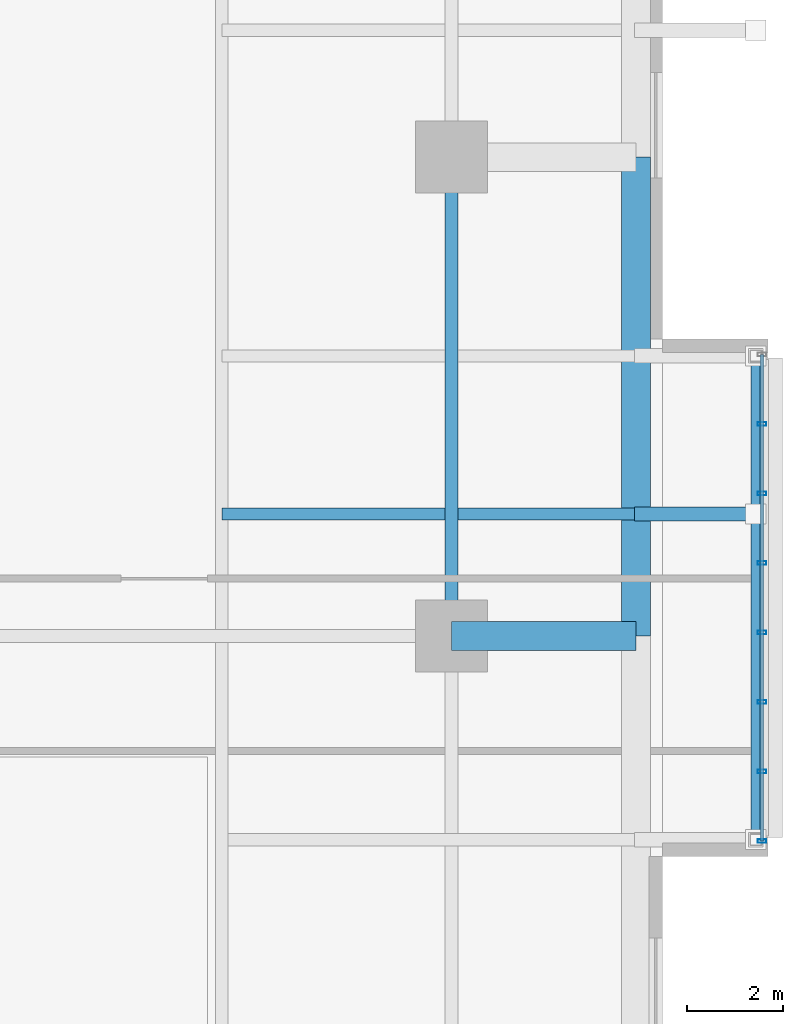
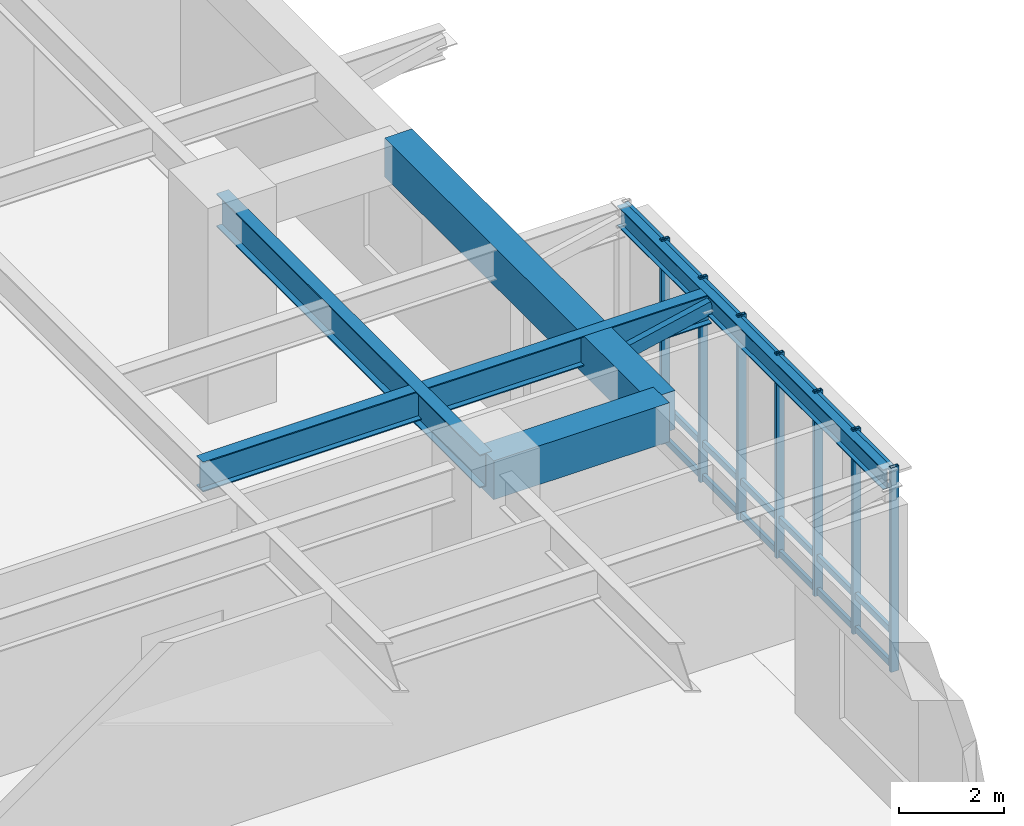
# One storey, part 10 of 23: 11 members, 5 beams, 1 element without a shape of its own.
"""IFC4 building model written with IfcOpenShell, lengths in metres."""

import ifcopenshell
import ifcopenshell.guid

model = None  # the IFC model being written
_history = None  # IfcOwnerHistory: only IFC2X3 demands one
_inside = {}  # id of a spatial element -> (the spatial element, [elements in it])
_under = {}  # id of a project, library or spatial element -> (it, [spatial elements below it])
_declared = {}  # id of a project -> (the project, [libraries it declares])
_typed = {}  # id of a type object -> (the type object, [elements of that type])
_made_of = {}  # id of a material, layer set ... -> (it, [elements and type objects made of it])


def new_model(schema):
    """Start an empty IFC model of exactly this schema.

    Asked for "IFC4X3", IfcOpenShell would pick the latest addendum, in which some entities
    have other attributes; the version numbers below select the first issue.
    IFC2X3 requires an IfcOwnerHistory on every rooted entity: one is made here for all.
    """
    global model, _history
    if schema == "IFC4X3":
        model = ifcopenshell.file(schema_version=(4, 3, 0, 0))
    else:
        model = ifcopenshell.file(schema=schema)
    _inside.clear()
    _under.clear()
    _declared.clear()
    _typed.clear()
    _made_of.clear()
    _history = None
    if model.schema == "IFC2X3":
        org = make("IfcOrganization", Name="unknown")
        user = make(
            "IfcPersonAndOrganization",
            ThePerson=make("IfcPerson", FamilyName="unknown"),
            TheOrganization=org,
        )
        app = make(
            "IfcApplication",
            ApplicationDeveloper=org,
            Version="unknown",
            ApplicationFullName="unknown",
            ApplicationIdentifier="unknown",
        )
        _history = make(
            "IfcOwnerHistory",
            OwningUser=user,
            OwningApplication=app,
            ChangeAction="ADDED",
            CreationDate=0,
        )
    return model


def make(cls, **values):
    """One entity of the class cls with the attributes given. An attribute that is None is left unset."""
    return model.create_entity(
        cls, **{name: value for name, value in values.items() if value is not None}
    )


def rooted(cls, **values):
    """An entity with a GlobalId (a new one), such as an element, a storey or a relation."""
    return make(cls, GlobalId=ifcopenshell.guid.new(), OwnerHistory=_history, **values)


def si_unit(unit_type, name, prefix=None):
    """IfcSIUnit, for example si_unit("LENGTHUNIT", "METRE", prefix="MILLI")."""
    return make("IfcSIUnit", UnitType=unit_type, Prefix=prefix, Name=name)


def assignment(units):
    """IfcUnitAssignment: the units of a project."""
    return None if units is None else make("IfcUnitAssignment", Units=units)


def point(xyz):
    """IfcCartesianPoint."""
    return None if xyz is None else make("IfcCartesianPoint", Coordinates=xyz)


def direction(xyz):
    """IfcDirection."""
    return None if xyz is None else make("IfcDirection", DirectionRatios=xyz)


def frame(location, z_axis=None, x_axis=None):
    """IfcAxis2Placement3D, a coordinate frame: its origin and axes. An axis left out is left unset."""
    return make(
        "IfcAxis2Placement3D",
        Location=point(location),
        Axis=direction(z_axis),
        RefDirection=direction(x_axis),
    )


def frame_2d(location, x_axis=None):
    """IfcAxis2Placement2D, a coordinate frame in the plane: its origin and x axis."""
    return make(
        "IfcAxis2Placement2D", Location=point(location), RefDirection=direction(x_axis)
    )


def origin():
    """The frame at (0, 0, 0) with its axes left unset."""
    return frame((0.0, 0.0, 0.0))


def origin_2d():
    """The frame at (0, 0) in the plane with its x axis left unset."""
    return frame_2d((0.0, 0.0))


def place(relative_to, where):
    """IfcLocalPlacement: puts the frame where relative to a parent placement (None: the world)."""
    return make(
        "IfcLocalPlacement", PlacementRelTo=relative_to, RelativePlacement=where
    )


def context(
    kind, dimensions, precision=None, world=None, true_north=None, identifier=None
):
    """IfcGeometricRepresentationContext, for example the 3D "Model" context."""
    return make(
        "IfcGeometricRepresentationContext",
        ContextIdentifier=identifier,
        ContextType=kind,
        CoordinateSpaceDimension=dimensions,
        Precision=precision,
        WorldCoordinateSystem=world,
        TrueNorth=true_north,
    )


def subcontext(parent, identifier, kind, view, scale=None):
    """IfcGeometricRepresentationSubContext, for example "Body" below "Model"."""
    return make(
        "IfcGeometricRepresentationSubContext",
        ContextIdentifier=identifier,
        ContextType=kind,
        ParentContext=parent,
        TargetScale=scale,
        TargetView=view,
    )


def project(units=None, contexts=None):
    """IfcProject with its units and contexts."""
    return rooted(
        "IfcProject",
        Name="project",
        RepresentationContexts=contexts,
        UnitsInContext=assignment(units),
    )


def spatial(cls, under=None, at=None, **own):
    """A site, building, storey or space (cls), placed at a placement, below another one or the project."""
    s = rooted(cls, ObjectPlacement=at, **own)
    if under is not None:
        _under.setdefault(under.id(), (under, []))[1].append(s)
    return s


def profile(cls, at=None, kind="AREA", **sizes):
    """A parametric profile (cls). Its sizes go by their IFC names, for example OverallWidth=200.0."""
    return make(cls, ProfileType=kind, Position=at, **sizes)


def rectangle(**sizes):
    """IfcRectangleProfileDef."""
    return profile("IfcRectangleProfileDef", **sizes)


def hollow_rectangle(**sizes):
    """IfcRectangleHollowProfileDef."""
    return profile("IfcRectangleHollowProfileDef", **sizes)


def i_section(**sizes):
    """IfcIShapeProfileDef."""
    return profile("IfcIShapeProfileDef", **sizes)


def extrude(swept, where, along, depth):
    """IfcExtrudedAreaSolid: the profile swept, set in the frame where, extruded along a direction by depth."""
    return make(
        "IfcExtrudedAreaSolid",
        SweptArea=swept,
        Position=where,
        ExtrudedDirection=direction(along),
        Depth=depth,
    )


def shape(context_of_items, identifier, shape_type, items):
    """IfcShapeRepresentation: the items that make up one representation, for example the "Body"."""
    return make(
        "IfcShapeRepresentation",
        ContextOfItems=context_of_items,
        RepresentationIdentifier=identifier,
        RepresentationType=shape_type,
        Items=items,
    )


def material(Name=None, Category=None):
    """IfcMaterial."""
    return make("IfcMaterial", Name=Name, Category=Category)


def material_profile(
    of_material, cross_section, Name=None, Category=None, Priority=None
):
    """IfcMaterialProfile: a cross section and its material."""
    return make(
        "IfcMaterialProfile",
        Name=Name,
        Material=of_material,
        Profile=cross_section,
        Priority=Priority,
        Category=Category,
    )


def profile_set(profiles, Name=None, composite=None):
    """IfcMaterialProfileSet."""
    return make(
        "IfcMaterialProfileSet",
        Name=Name,
        MaterialProfiles=profiles,
        CompositeProfile=composite,
    )


def made_of(thing, what):
    """Note that an element or type object is made of a material, layer set ...; save() writes the relation."""
    if what is not None:
        _made_of.setdefault(what.id(), (what, []))[1].append(thing)
    return thing


def type_object(cls, material=None, **own):
    """A type object (cls), such as IfcWallType, which elements share."""
    return made_of(rooted(cls, **own), material)


def element(
    cls,
    number,
    at=None,
    inside=None,
    cuts=None,
    type_object=None,
    material=None,
    context=None,
    identifier="Body",
    shape_type=None,
    held_by="IfcProductDefinitionShape",
    body=None,
    shapes=None,
    **own,
):
    """One element of the class cls, such as IfcWall. Its Tag is "e" and its number.

    at: its placement. inside: the storey or other place that contains it. cuts: it is an
    opening in that element (IfcRelVoidsElement). A single representation is given by context,
    identifier, shape_type and body (its items); several are given by shapes. held_by: the class
    of the entity that holds the representations. save() writes the other relations.
    """
    e = rooted(cls, Tag="e%d" % number, ObjectPlacement=at, **own)
    if body is not None:
        shapes = [shape(context, identifier, shape_type, body)]
    if shapes is not None:
        e.Representation = make(held_by, Representations=shapes)
    if inside is not None:
        _inside.setdefault(inside.id(), (inside, []))[1].append(e)
    if cuts is not None:
        rooted(
            "IfcRelVoidsElement", RelatingBuildingElement=cuts, RelatedOpeningElement=e
        )
    if type_object is not None:
        _typed.setdefault(type_object.id(), (type_object, []))[1].append(e)
    return made_of(e, material)


def aggregate(whole, parts):
    """IfcRelAggregates: a whole, such as a stair, and the parts it consists of."""
    return rooted("IfcRelAggregates", RelatingObject=whole, RelatedObjects=parts)


def save(model, path):
    """Write the relations noted so far, then the file.

    IfcRelAggregates (storeys below a building ...), IfcRelContainedInSpatialStructure (elements
    in a storey), IfcRelDefinesByType, IfcRelAssociatesMaterial and IfcRelDeclares: one each for
    every whole, place, type object, material and project.
    """
    for whole, parts in _under.values():
        aggregate(whole, parts)
    for where, things in _inside.values():
        rooted(
            "IfcRelContainedInSpatialStructure",
            RelatedElements=things,
            RelatingStructure=where,
        )
    for kind, things in _typed.values():
        rooted("IfcRelDefinesByType", RelatedObjects=things, RelatingType=kind)
    for what, things in _made_of.values():
        rooted("IfcRelAssociatesMaterial", RelatedObjects=things, RelatingMaterial=what)
    for by, libraries in _declared.values():
        rooted("IfcRelDeclares", RelatingContext=by, RelatedDefinitions=libraries)
    model.write(path)


model = new_model("IFC4")

# Units and contexts
model_context = context("Model", 3, precision=1e-05, world=origin(), true_north=direction((0.0, 1.0)))
body_context = subcontext(model_context, "Body", "Model", "MODEL_VIEW")
ifc_project = project(units=[si_unit("LENGTHUNIT", "METRE"), si_unit("AREAUNIT", "SQUARE_METRE"), si_unit("VOLUMEUNIT", "CUBIC_METRE"), si_unit("PLANEANGLEUNIT", "RADIAN"), si_unit("MASSUNIT", "GRAM", prefix="KILO")], contexts=[model_context])

# Site, building, storey
site_placement = place(None, origin())
site = spatial("IfcSite", under=ifc_project, at=site_placement, CompositionType="ELEMENT")
building_placement = place(site_placement, origin())
building = spatial("IfcBuilding", under=site, at=building_placement, Name="Zulverin Broadcast Headquarters", CompositionType="ELEMENT")
storey_placement = place(building_placement, frame((0.0, 0.0, 10.0)))
storey = spatial("IfcBuildingStorey", under=building, at=storey_placement, Name="L02", CompositionType="ELEMENT", Elevation=10.0)

# Beams
ifc_material_1 = material(Name="Concrete C40/50", Category="concrete")
ifc_material_profile_1 = material_profile(ifc_material_1, rectangle(XDim=0.60009765625, YDim=0.89990234375, at=origin_2d()), Name="Concrete C40/50", Category="concrete")
ifc_profile_set_1 = profile_set([ifc_material_profile_1], Name="Concrete C40/50")
beam_type_1 = type_object("IfcBeamType", Name="BM-RC-600x900", PredefinedType="BEAM", material=ifc_profile_set_1)
beam_1_placement = place(storey_placement, frame((69.60009765625, 15.199951171875, 4.22998046875), z_axis=(1.0, 0.0, 0.0), x_axis=(0.0, 1.0, 0.0)))
element("IfcBeam", 1, at=beam_1_placement, inside=storey, type_object=beam_type_1, Name="L02 East Perimeter Bracket Girder EBR-2", PredefinedType="BEAM", context=body_context, shape_type="SweptSolid", body=[
    extrude(rectangle(XDim=0.60009765625, YDim=0.89990234375, at=origin_2d()), origin(), (0.0, 0.0, 1.0), 3.849853515625),
])
beam_2_placement = place(storey_placement, frame((73.449951171875, 15.199951171875, 4.22998046875), z_axis=(0.0, 1.0, 0.0), x_axis=(-1.0, 0.0, 0.0)))
element("IfcBeam", 2, at=beam_2_placement, inside=storey, type_object=beam_type_1, Name="L02 East Edge Spandrel Girder EEG-2", PredefinedType="BEAM", context=body_context, shape_type="SweptSolid", body=[
    extrude(rectangle(XDim=0.60009765625, YDim=0.89990234375, at=origin_2d()), origin(), (0.0, 0.0, 1.0), 10.0),
])
ifc_material_2 = material(Name="Structural steel S355JR", Category="steel")
ifc_material_profile_2 = material_profile(ifc_material_2, i_section(OverallWidth=0.19287109375, OverallDepth=0.46728515625, WebThickness=0.011474609375, FlangeThickness=0.01953125, at=origin_2d()), Name="Structural steel S355JR", Category="steel")
ifc_profile_set_2 = profile_set([ifc_material_profile_2], Name="Structural steel S355JR")
beam_type_2 = type_object("IfcBeamType", Name="BM-UB-457", PredefinedType="JOIST", material=ifc_profile_set_2)
beam_3_placement = place(storey_placement, frame((75.949951171875, 10.949951171875, 4.4462890625), z_axis=(0.0, 1.0, 0.0), x_axis=(-1.0, 0.0, 0.0)))
element("IfcBeam", 3, at=beam_3_placement, inside=storey, type_object=beam_type_2, Name="L02 Studio Box Edge Beam SBOX_POD_LOWER_E1", PredefinedType="JOIST", context=body_context, shape_type="SweptSolid", body=[
    extrude(i_section(OverallWidth=0.19287109375, OverallDepth=0.46728515625, WebThickness=0.011474609375, FlangeThickness=0.01953125, at=origin_2d()), origin(), (0.0, 0.0, 1.0), 10.10009765625),
])
ifc_material_profile_3 = material_profile(ifc_material_2, i_section(OverallWidth=0.255859375, OverallDepth=0.69287109375, WebThickness=0.014404296875, FlangeThickness=0.023681640625, at=origin_2d()), Name="Structural steel S355JR", Category="steel")
ifc_profile_set_3 = profile_set([ifc_material_profile_3], Name="Structural steel S355JR")
beam_type_3 = type_object("IfcBeamType", Name="BM-UB-686", PredefinedType="BEAM", material=ifc_profile_set_3)
beam_4_placement = place(storey_placement, frame((64.800048828125, 17.75, 4.33349609375), z_axis=(1.0, 0.0, 0.0), x_axis=(0.0, 1.0, 0.0)))
element("IfcBeam", 4, at=beam_4_placement, inside=storey, type_object=beam_type_3, Name="L03 Studio Box Base Cantilever Girder SBOX_POD_UPPER_E1-1", PredefinedType="BEAM", context=body_context, shape_type="SweptSolid", body=[
    extrude(i_section(OverallWidth=0.255859375, OverallDepth=0.69287109375, WebThickness=0.014404296875, FlangeThickness=0.023681640625, at=origin_2d()), origin(), (0.0, 0.0, 1.0), 11.14990234375),
])
ifc_material_profile_4 = material_profile(ifc_material_2, i_section(OverallWidth=0.26806640625, OverallDepth=0.769775390625, WebThickness=0.015625, FlangeThickness=0.025390625, at=origin_2d()), Name="Structural steel S355JR", Category="steel")
ifc_profile_set_4 = profile_set([ifc_material_profile_4], Name="Structural steel S355JR")
beam_type_4 = type_object("IfcBeamType", Name="BM-UB-762", PredefinedType="BEAM", material=ifc_profile_set_4)
beam_5_placement = place(storey_placement, frame((69.60009765625, 15.199951171875, 4.295166015625), z_axis=(0.0, 1.0, 0.0), x_axis=(-1.0, 0.0, 0.0)))
element("IfcBeam", 5, at=beam_5_placement, inside=storey, type_object=beam_type_4, Name="L02 Podium Primary Girder P14-P15", PredefinedType="BEAM", context=body_context, shape_type="SweptSolid", body=[
    extrude(i_section(OverallWidth=0.26806640625, OverallDepth=0.769775390625, WebThickness=0.015625, FlangeThickness=0.025390625, at=origin_2d()), origin(), (0.0, 0.0, 1.0), 10.0),
])

# Curtain wall, members
ifc_material_3 = material(Name="Acoustic triple-glazed studio box curtain wall", Category="aluminium")
curtain_wall_type = type_object("IfcCurtainWallType", Name="CW-SBOX", PredefinedType="USERDEFINED", material=ifc_material_3)
curtain_wall_placement = place(storey_placement, origin())
curtain_wall = element("IfcCurtainWall", 6, at=curtain_wall_placement, inside=storey, type_object=curtain_wall_type, Name="L02 Unitised Curtain Wall CW-L02-SBOX_POD_LOWER_E1-F", ObjectType="UNITISED CURTAIN WALL", PredefinedType="USERDEFINED")
ifc_material_4 = material(Name="Anodized pale-metal aluminium alloy 6063-T6", Category="aluminium")
ifc_material_profile_5 = material_profile(ifc_material_4, hollow_rectangle(XDim=0.074951171875, YDim=0.179931640625, WallThickness=0.0048828125, at=origin_2d()), Name="Anodized pale-metal aluminium alloy 6063-T6", Category="aluminium")
ifc_profile_set_5 = profile_set([ifc_material_profile_5], Name="Anodized pale-metal aluminium alloy 6063-T6")
member_type_1 = type_object("IfcMemberType", Name="CW-MUL-180", PredefinedType="MULLION", material=ifc_profile_set_5)
member_1_placement = place(storey_placement, frame((76.080078125, 10.919921875, -0.030029296875), z_axis=(0.0, 0.0, 1.0), x_axis=(0.0, 1.0, 0.0)))
member_1 = element("IfcMember", 7, at=member_1_placement, type_object=member_type_1, Name="CW-L02-SBOX_POD_LOWER_E1-F Mullion 00", PredefinedType="MULLION", context=body_context, shape_type="SweptSolid", body=[
    extrude(hollow_rectangle(XDim=0.074951171875, YDim=0.179931640625, WallThickness=0.0048828125, at=origin_2d()), origin(), (0.0, 0.0, 1.0), 4.739990234375),
])
member_2_placement = place(storey_placement, frame((76.080078125, 12.371337890625, -0.030029296875), z_axis=(0.0, 0.0, 1.0), x_axis=(0.0, 1.0, 0.0)))
member_2 = element("IfcMember", 8, at=member_2_placement, type_object=member_type_1, Name="CW-L02-SBOX_POD_LOWER_E1-F Mullion 01", PredefinedType="MULLION", context=body_context, shape_type="SweptSolid", body=[
    extrude(hollow_rectangle(XDim=0.074951171875, YDim=0.179931640625, WallThickness=0.0048828125, at=origin_2d()), origin(), (0.0, 0.0, 1.0), 4.739990234375),
])
member_3_placement = place(storey_placement, frame((76.080078125, 13.822998046875, -0.030029296875), z_axis=(0.0, 0.0, 1.0), x_axis=(0.0, 1.0, 0.0)))
member_3 = element("IfcMember", 9, at=member_3_placement, type_object=member_type_1, Name="CW-L02-SBOX_POD_LOWER_E1-F Mullion 02", PredefinedType="MULLION", context=body_context, shape_type="SweptSolid", body=[
    extrude(hollow_rectangle(XDim=0.074951171875, YDim=0.179931640625, WallThickness=0.0048828125, at=origin_2d()), origin(), (0.0, 0.0, 1.0), 4.739990234375),
])
member_4_placement = place(storey_placement, frame((76.080078125, 15.2744140625, -0.030029296875), z_axis=(0.0, 0.0, 1.0), x_axis=(0.0, 1.0, 0.0)))
member_4 = element("IfcMember", 10, at=member_4_placement, type_object=member_type_1, Name="CW-L02-SBOX_POD_LOWER_E1-F Mullion 03", PredefinedType="MULLION", context=body_context, shape_type="SweptSolid", body=[
    extrude(hollow_rectangle(XDim=0.074951171875, YDim=0.179931640625, WallThickness=0.0048828125, at=origin_2d()), origin(), (0.0, 0.0, 1.0), 4.739990234375),
])
member_5_placement = place(storey_placement, frame((76.080078125, 16.7255859375, -0.030029296875), z_axis=(0.0, 0.0, 1.0), x_axis=(0.0, 1.0, 0.0)))
member_5 = element("IfcMember", 11, at=member_5_placement, type_object=member_type_1, Name="CW-L02-SBOX_POD_LOWER_E1-F Mullion 04", PredefinedType="MULLION", context=body_context, shape_type="SweptSolid", body=[
    extrude(hollow_rectangle(XDim=0.074951171875, YDim=0.179931640625, WallThickness=0.0048828125, at=origin_2d()), origin(), (0.0, 0.0, 1.0), 4.739990234375),
])
member_6_placement = place(storey_placement, frame((76.080078125, 18.177001953125, -0.030029296875), z_axis=(0.0, 0.0, 1.0), x_axis=(0.0, 1.0, 0.0)))
member_6 = element("IfcMember", 12, at=member_6_placement, type_object=member_type_1, Name="CW-L02-SBOX_POD_LOWER_E1-F Mullion 05", PredefinedType="MULLION", context=body_context, shape_type="SweptSolid", body=[
    extrude(hollow_rectangle(XDim=0.074951171875, YDim=0.179931640625, WallThickness=0.0048828125, at=origin_2d()), origin(), (0.0, 0.0, 1.0), 4.739990234375),
])
member_7_placement = place(storey_placement, frame((76.080078125, 19.628662109375, -0.030029296875), z_axis=(0.0, 0.0, 1.0), x_axis=(0.0, 1.0, 0.0)))
member_7 = element("IfcMember", 13, at=member_7_placement, type_object=member_type_1, Name="CW-L02-SBOX_POD_LOWER_E1-F Mullion 06", PredefinedType="MULLION", context=body_context, shape_type="SweptSolid", body=[
    extrude(hollow_rectangle(XDim=0.074951171875, YDim=0.179931640625, WallThickness=0.0048828125, at=origin_2d()), origin(), (0.0, 0.0, 1.0), 4.739990234375),
])
ifc_material_profile_6 = material_profile(ifc_material_4, hollow_rectangle(XDim=0.074951171875, YDim=0.14990234375, WallThickness=0.0048828125, at=origin_2d()), Name="Anodized pale-metal aluminium alloy 6063-T6", Category="aluminium")
ifc_profile_set_6 = profile_set([ifc_material_profile_6], Name="Anodized pale-metal aluminium alloy 6063-T6")
member_type_2 = type_object("IfcMemberType", Name="CW-TRN-150", PredefinedType="USERDEFINED", material=ifc_profile_set_6)
member_8_placement = place(storey_placement, frame((76.080078125, 10.919921875, 0.074951171875), z_axis=(0.0, 1.0, 0.0), x_axis=(-1.0, 0.0, 0.0)))
member_8 = element("IfcMember", 14, at=member_8_placement, type_object=member_type_2, Name="CW-L02-SBOX_POD_LOWER_E1-F Transom 0", ObjectType="TRANSOM", PredefinedType="USERDEFINED", context=body_context, shape_type="SweptSolid", body=[
    extrude(hollow_rectangle(XDim=0.074951171875, YDim=0.14990234375, WallThickness=0.0048828125, at=origin_2d()), origin(), (0.0, 0.0, 1.0), 10.16015625),
])
member_9_placement = place(storey_placement, frame((76.080078125, 10.919921875, 0.85009765625), z_axis=(0.0, 1.0, 0.0), x_axis=(-1.0, 0.0, 0.0)))
member_9 = element("IfcMember", 15, at=member_9_placement, type_object=member_type_2, Name="CW-L02-SBOX_POD_LOWER_E1-F Transom 1", ObjectType="TRANSOM", PredefinedType="USERDEFINED", context=body_context, shape_type="SweptSolid", body=[
    extrude(hollow_rectangle(XDim=0.074951171875, YDim=0.14990234375, WallThickness=0.0048828125, at=origin_2d()), origin(), (0.0, 0.0, 1.0), 10.16015625),
])
member_10_placement = place(storey_placement, frame((76.080078125, 10.919921875, 4.60498046875), z_axis=(0.0, 1.0, 0.0), x_axis=(-1.0, 0.0, 0.0)))
member_10 = element("IfcMember", 16, at=member_10_placement, type_object=member_type_2, Name="CW-L02-SBOX_POD_LOWER_E1-F Transom 2", ObjectType="TRANSOM", PredefinedType="USERDEFINED", context=body_context, shape_type="SweptSolid", body=[
    extrude(hollow_rectangle(XDim=0.074951171875, YDim=0.14990234375, WallThickness=0.0048828125, at=origin_2d()), origin(), (0.0, 0.0, 1.0), 10.16015625),
])
aggregate(curtain_wall, [member_1, member_2, member_3, member_4, member_5, member_6, member_7, member_8, member_9, member_10])

# Member
ifc_material_profile_7 = material_profile(ifc_material_2, hollow_rectangle(XDim=0.300048828125, YDim=0.300048828125, WallThickness=0.01611328125, at=origin_2d()), Name="Structural steel S355JR", Category="steel")
ifc_profile_set_7 = profile_set([ifc_material_profile_7], Name="Structural steel S355JR")
member_type_3 = type_object("IfcMemberType", Name="MBR-BLT-DIAG1", PredefinedType="BRACE", material=ifc_profile_set_7)
member_11_placement = place(storey_placement, frame((73.449951171875, 17.75, 3.830078125), z_axis=(0.976660475394, 0.0, 0.214789002987), x_axis=(0.0, 1.0, 0.0)))
element("IfcMember", 17, at=member_11_placement, inside=storey, type_object=member_type_3, Name="L03 Studio Box Base Knee Brace SBOX_POD_UPPER_E1-1", PredefinedType="BRACE", context=body_context, shape_type="SweptSolid", body=[
    extrude(hollow_rectangle(XDim=0.300048828125, YDim=0.300048828125, WallThickness=0.01611328125, at=origin_2d()), origin(), (0.0, 0.0, 1.0), 2.559814453125),
])

save(model, "model.ifc")
